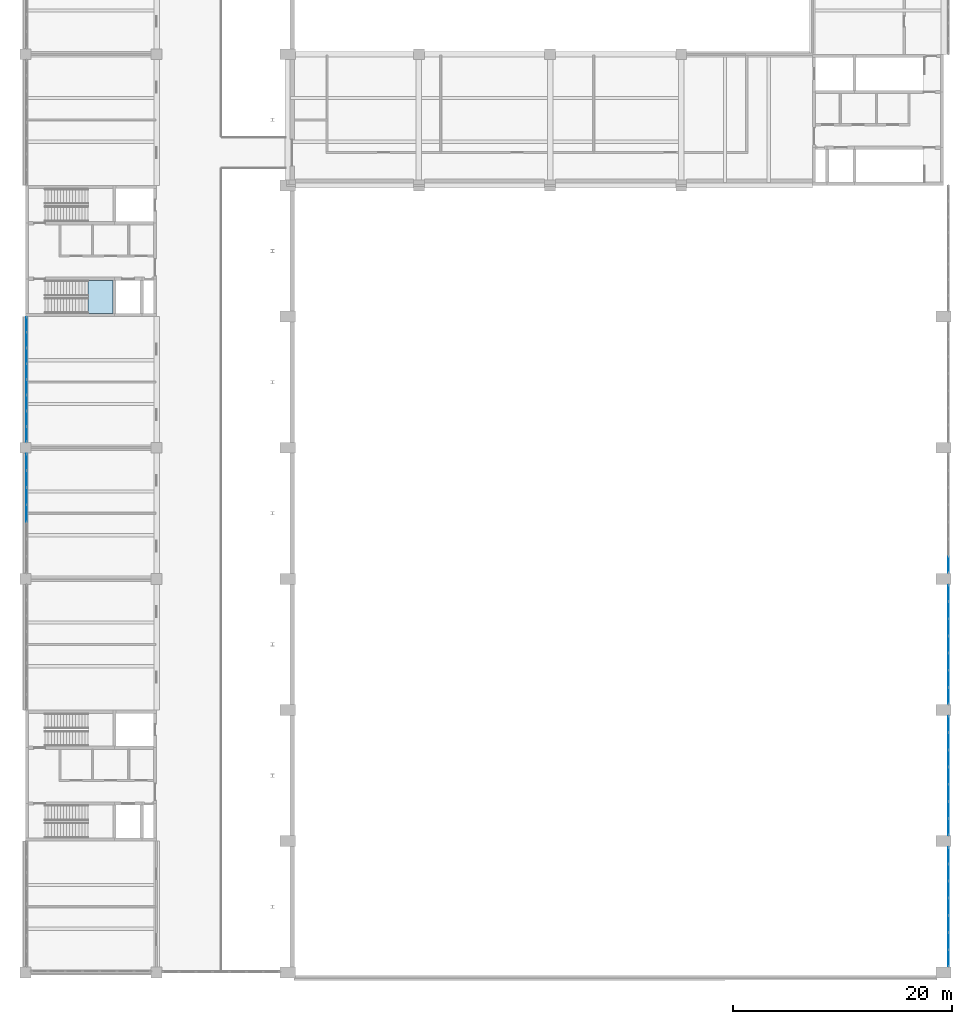
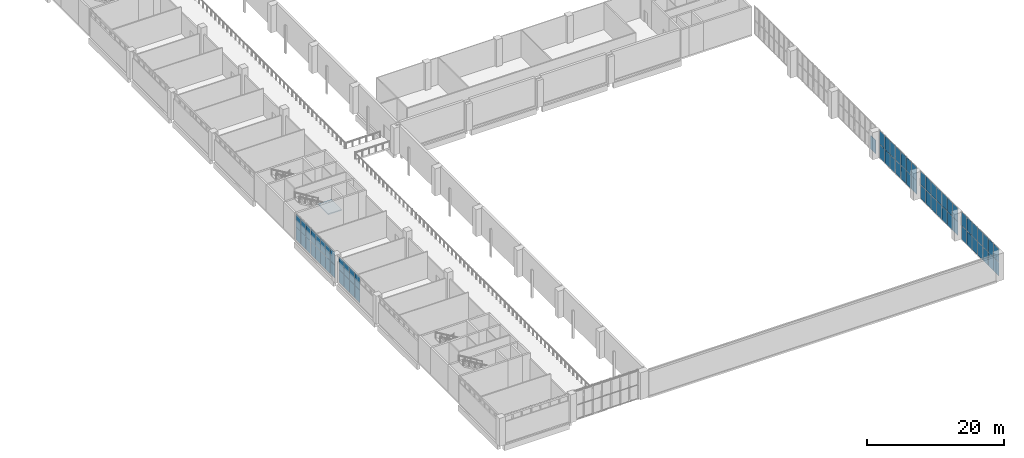
# One storey, part 43 of 69: 67 plates, 1 slab, 7 elements without a shape of their own.
"""IFC4 building model written with IfcOpenShell, lengths in metres."""

import ifcopenshell
import ifcopenshell.guid

model = None  # the IFC model being written
_history = None  # IfcOwnerHistory: only IFC2X3 demands one
_inside = {}  # id of a spatial element -> (the spatial element, [elements in it])
_under = {}  # id of a project, library or spatial element -> (it, [spatial elements below it])
_declared = {}  # id of a project -> (the project, [libraries it declares])
_typed = {}  # id of a type object -> (the type object, [elements of that type])
_made_of = {}  # id of a material, layer set ... -> (it, [elements and type objects made of it])


def new_model(schema):
    """Start an empty IFC model of exactly this schema.

    Asked for "IFC4X3", IfcOpenShell would pick the latest addendum, in which some entities
    have other attributes; the version numbers below select the first issue.
    IFC2X3 requires an IfcOwnerHistory on every rooted entity: one is made here for all.
    """
    global model, _history
    if schema == "IFC4X3":
        model = ifcopenshell.file(schema_version=(4, 3, 0, 0))
    else:
        model = ifcopenshell.file(schema=schema)
    _inside.clear()
    _under.clear()
    _declared.clear()
    _typed.clear()
    _made_of.clear()
    _history = None
    if model.schema == "IFC2X3":
        org = make("IfcOrganization", Name="unknown")
        user = make(
            "IfcPersonAndOrganization",
            ThePerson=make("IfcPerson", FamilyName="unknown"),
            TheOrganization=org,
        )
        app = make(
            "IfcApplication",
            ApplicationDeveloper=org,
            Version="unknown",
            ApplicationFullName="unknown",
            ApplicationIdentifier="unknown",
        )
        _history = make(
            "IfcOwnerHistory",
            OwningUser=user,
            OwningApplication=app,
            ChangeAction="ADDED",
            CreationDate=0,
        )
    return model


def make(cls, **values):
    """One entity of the class cls with the attributes given. An attribute that is None is left unset."""
    return model.create_entity(
        cls, **{name: value for name, value in values.items() if value is not None}
    )


def rooted(cls, **values):
    """An entity with a GlobalId (a new one), such as an element, a storey or a relation."""
    return make(cls, GlobalId=ifcopenshell.guid.new(), OwnerHistory=_history, **values)


def si_unit(unit_type, name, prefix=None):
    """IfcSIUnit, for example si_unit("LENGTHUNIT", "METRE", prefix="MILLI")."""
    return make("IfcSIUnit", UnitType=unit_type, Prefix=prefix, Name=name)


def assignment(units):
    """IfcUnitAssignment: the units of a project."""
    return None if units is None else make("IfcUnitAssignment", Units=units)


def point(xyz):
    """IfcCartesianPoint."""
    return None if xyz is None else make("IfcCartesianPoint", Coordinates=xyz)


def direction(xyz):
    """IfcDirection."""
    return None if xyz is None else make("IfcDirection", DirectionRatios=xyz)


def frame(location, z_axis=None, x_axis=None):
    """IfcAxis2Placement3D, a coordinate frame: its origin and axes. An axis left out is left unset."""
    return make(
        "IfcAxis2Placement3D",
        Location=point(location),
        Axis=direction(z_axis),
        RefDirection=direction(x_axis),
    )


def frame_2d(location, x_axis=None):
    """IfcAxis2Placement2D, a coordinate frame in the plane: its origin and x axis."""
    return make(
        "IfcAxis2Placement2D", Location=point(location), RefDirection=direction(x_axis)
    )


def origin():
    """The frame at (0, 0, 0) with its axes left unset."""
    return frame((0.0, 0.0, 0.0))


def origin_2d():
    """The frame at (0, 0) in the plane with its x axis left unset."""
    return frame_2d((0.0, 0.0))


def place(relative_to, where):
    """IfcLocalPlacement: puts the frame where relative to a parent placement (None: the world)."""
    return make(
        "IfcLocalPlacement", PlacementRelTo=relative_to, RelativePlacement=where
    )


def context(
    kind, dimensions, precision=None, world=None, true_north=None, identifier=None
):
    """IfcGeometricRepresentationContext, for example the 3D "Model" context."""
    return make(
        "IfcGeometricRepresentationContext",
        ContextIdentifier=identifier,
        ContextType=kind,
        CoordinateSpaceDimension=dimensions,
        Precision=precision,
        WorldCoordinateSystem=world,
        TrueNorth=true_north,
    )


def subcontext(parent, identifier, kind, view, scale=None):
    """IfcGeometricRepresentationSubContext, for example "Body" below "Model"."""
    return make(
        "IfcGeometricRepresentationSubContext",
        ContextIdentifier=identifier,
        ContextType=kind,
        ParentContext=parent,
        TargetScale=scale,
        TargetView=view,
    )


def project(units=None, contexts=None):
    """IfcProject with its units and contexts."""
    return rooted(
        "IfcProject",
        Name="project",
        RepresentationContexts=contexts,
        UnitsInContext=assignment(units),
    )


def spatial(cls, under=None, at=None, **own):
    """A site, building, storey or space (cls), placed at a placement, below another one or the project."""
    s = rooted(cls, ObjectPlacement=at, **own)
    if under is not None:
        _under.setdefault(under.id(), (under, []))[1].append(s)
    return s


def polyline(points):
    """IfcPolyline through the points."""
    return make("IfcPolyline", Points=[point(p) for p in points])


def profile(cls, at=None, kind="AREA", **sizes):
    """A parametric profile (cls). Its sizes go by their IFC names, for example OverallWidth=200.0."""
    return make(cls, ProfileType=kind, Position=at, **sizes)


def rectangle(**sizes):
    """IfcRectangleProfileDef."""
    return profile("IfcRectangleProfileDef", **sizes)


def outline(outer, holes=None, kind="AREA"):
    """IfcArbitraryClosedProfileDef: a profile drawn as a closed curve; with holes, ...WithVoids."""
    if holes is None:
        return make("IfcArbitraryClosedProfileDef", ProfileType=kind, OuterCurve=outer)
    return make(
        "IfcArbitraryProfileDefWithVoids",
        ProfileType=kind,
        OuterCurve=outer,
        InnerCurves=holes,
    )


def extrude(swept, where, along, depth):
    """IfcExtrudedAreaSolid: the profile swept, set in the frame where, extruded along a direction by depth."""
    return make(
        "IfcExtrudedAreaSolid",
        SweptArea=swept,
        Position=where,
        ExtrudedDirection=direction(along),
        Depth=depth,
    )


def shape(context_of_items, identifier, shape_type, items):
    """IfcShapeRepresentation: the items that make up one representation, for example the "Body"."""
    return make(
        "IfcShapeRepresentation",
        ContextOfItems=context_of_items,
        RepresentationIdentifier=identifier,
        RepresentationType=shape_type,
        Items=items,
    )


def material(Name=None, Category=None):
    """IfcMaterial."""
    return make("IfcMaterial", Name=Name, Category=Category)


def layer(
    of_material, thickness, ventilated=None, Name=None, Category=None, Priority=None
):
    """IfcMaterialLayer: one layer of a wall or slab, of a material (None: an air gap)."""
    return make(
        "IfcMaterialLayer",
        Material=of_material,
        LayerThickness=thickness,
        IsVentilated=ventilated,
        Name=Name,
        Category=Category,
        Priority=Priority,
    )


def layer_set(layers, Name=None):
    """IfcMaterialLayerSet."""
    return make("IfcMaterialLayerSet", MaterialLayers=layers, LayerSetName=Name)


def made_of(thing, what):
    """Note that an element or type object is made of a material, layer set ...; save() writes the relation."""
    if what is not None:
        _made_of.setdefault(what.id(), (what, []))[1].append(thing)
    return thing


def type_object(cls, material=None, **own):
    """A type object (cls), such as IfcWallType, which elements share."""
    return made_of(rooted(cls, **own), material)


def element(
    cls,
    number,
    at=None,
    inside=None,
    cuts=None,
    type_object=None,
    material=None,
    context=None,
    identifier="Body",
    shape_type=None,
    held_by="IfcProductDefinitionShape",
    body=None,
    shapes=None,
    **own,
):
    """One element of the class cls, such as IfcWall. Its Tag is "e" and its number.

    at: its placement. inside: the storey or other place that contains it. cuts: it is an
    opening in that element (IfcRelVoidsElement). A single representation is given by context,
    identifier, shape_type and body (its items); several are given by shapes. held_by: the class
    of the entity that holds the representations. save() writes the other relations.
    """
    e = rooted(cls, Tag="e%d" % number, ObjectPlacement=at, **own)
    if body is not None:
        shapes = [shape(context, identifier, shape_type, body)]
    if shapes is not None:
        e.Representation = make(held_by, Representations=shapes)
    if inside is not None:
        _inside.setdefault(inside.id(), (inside, []))[1].append(e)
    if cuts is not None:
        rooted(
            "IfcRelVoidsElement", RelatingBuildingElement=cuts, RelatedOpeningElement=e
        )
    if type_object is not None:
        _typed.setdefault(type_object.id(), (type_object, []))[1].append(e)
    return made_of(e, material)


def aggregate(whole, parts):
    """IfcRelAggregates: a whole, such as a stair, and the parts it consists of."""
    return rooted("IfcRelAggregates", RelatingObject=whole, RelatedObjects=parts)


def save(model, path):
    """Write the relations noted so far, then the file.

    IfcRelAggregates (storeys below a building ...), IfcRelContainedInSpatialStructure (elements
    in a storey), IfcRelDefinesByType, IfcRelAssociatesMaterial and IfcRelDeclares: one each for
    every whole, place, type object, material and project.
    """
    for whole, parts in _under.values():
        aggregate(whole, parts)
    for where, things in _inside.values():
        rooted(
            "IfcRelContainedInSpatialStructure",
            RelatedElements=things,
            RelatingStructure=where,
        )
    for kind, things in _typed.values():
        rooted("IfcRelDefinesByType", RelatedObjects=things, RelatingType=kind)
    for what, things in _made_of.values():
        rooted("IfcRelAssociatesMaterial", RelatedObjects=things, RelatingMaterial=what)
    for by, libraries in _declared.values():
        rooted("IfcRelDeclares", RelatingContext=by, RelatedDefinitions=libraries)
    model.write(path)


model = new_model("IFC4")

# Units and contexts
model_context = context("Model", 3, precision=1e-05, world=origin(), true_north=direction((0.0, 1.0)))
body_context = subcontext(model_context, "Body", "Model", "MODEL_VIEW")
ifc_project = project(units=[si_unit("LENGTHUNIT", "METRE"), si_unit("AREAUNIT", "SQUARE_METRE"), si_unit("VOLUMEUNIT", "CUBIC_METRE"), si_unit("PLANEANGLEUNIT", "RADIAN"), si_unit("MASSUNIT", "GRAM", prefix="KILO")], contexts=[model_context])

# Site, building, storey
site_placement = place(None, origin())
site = spatial("IfcSite", under=ifc_project, at=site_placement, CompositionType="ELEMENT")
building_placement = place(site_placement, origin())
building = spatial("IfcBuilding", under=site, at=building_placement, Name="Lilac Gate Convention Centre", CompositionType="ELEMENT")
storey_placement = place(building_placement, frame((0.0, 0.0, 12.0)))
storey = spatial("IfcBuildingStorey", under=building, at=storey_placement, Name="L02", CompositionType="ELEMENT", Elevation=12.0)

# Curtain wall, plates
ifc_material_1 = material(Name="Aluminium framed double glazing", Category="aluminium")
ifc_layer_1 = layer(ifc_material_1, 0.199951171875)
ifc_layer_set_1 = layer_set([ifc_layer_1], Name="Aluminium framed double glazing")
curtain_wall_type = type_object("IfcCurtainWallType", Name="Unitised curtain wall 1500", PredefinedType="NOTDEFINED", material=ifc_layer_set_1)
curtain_wall_1_placement = place(storey_placement, origin())
curtain_wall_1 = element("IfcCurtainWall", 1, at=curtain_wall_1_placement, inside=storey, type_object=curtain_wall_type, Name="Curtain wall PW L02 9", PredefinedType="NOTDEFINED")
ifc_material_2 = material(Name="Double glazed unit low emissivity")
ifc_layer_2 = layer(ifc_material_2, 0.028076171875)
ifc_layer_set_2 = layer_set([ifc_layer_2], Name="Double glazed unit low emissivity")
plate_type_1 = type_object("IfcPlateType", Name="Curtain wall glass panel 28", PredefinedType="CURTAIN_PANEL", material=ifc_layer_set_2)
plate_1_placement = place(storey_placement, frame((6.10009765625, 89.266357421875, 2.4052734375), z_axis=(0.0, 0.0, 1.0), x_axis=(0.0, -1.0, 0.0)))
plate_1 = element("IfcPlate", 2, at=plate_1_placement, type_object=plate_type_1, Name="CW panel 1.2", PredefinedType="CURTAIN_PANEL", context=body_context, shape_type="SweptSolid", body=[
    extrude(rectangle(XDim=1.347412109375, YDim=0.028076171875, at=origin_2d()), origin(), (0.0, 0.0, 1.0), 2.284912109375),
])
plate_2_placement = place(storey_placement, frame((6.10009765625, 87.84375, 2.4052734375), z_axis=(0.0, 0.0, 1.0), x_axis=(0.0, -1.0, 0.0)))
plate_2 = element("IfcPlate", 3, at=plate_2_placement, type_object=plate_type_1, Name="CW panel 2.2", PredefinedType="CURTAIN_PANEL", context=body_context, shape_type="SweptSolid", body=[
    extrude(rectangle(XDim=1.37744140625, YDim=0.028076171875, at=origin_2d()), origin(), (0.0, 0.0, 1.0), 2.284912109375),
])
plate_3_placement = place(storey_placement, frame((6.10009765625, 86.40625, 2.4052734375), z_axis=(0.0, 0.0, 1.0), x_axis=(0.0, -1.0, 0.0)))
plate_3 = element("IfcPlate", 4, at=plate_3_placement, type_object=plate_type_1, Name="CW panel 3.2", PredefinedType="CURTAIN_PANEL", context=body_context, shape_type="SweptSolid", body=[
    extrude(rectangle(XDim=1.37744140625, YDim=0.028076171875, at=origin_2d()), origin(), (0.0, 0.0, 1.0), 2.284912109375),
])
plate_4_placement = place(storey_placement, frame((6.10009765625, 84.96875, 2.4052734375), z_axis=(0.0, 0.0, 1.0), x_axis=(0.0, -1.0, 0.0)))
plate_4 = element("IfcPlate", 5, at=plate_4_placement, type_object=plate_type_1, Name="CW panel 4.2", PredefinedType="CURTAIN_PANEL", context=body_context, shape_type="SweptSolid", body=[
    extrude(rectangle(XDim=1.37744140625, YDim=0.028076171875, at=origin_2d()), origin(), (0.0, 0.0, 1.0), 2.284912109375),
])
plate_5_placement = place(storey_placement, frame((6.10009765625, 83.53125, 2.4052734375), z_axis=(0.0, 0.0, 1.0), x_axis=(0.0, -1.0, 0.0)))
plate_5 = element("IfcPlate", 6, at=plate_5_placement, type_object=plate_type_1, Name="CW panel 5.2", PredefinedType="CURTAIN_PANEL", context=body_context, shape_type="SweptSolid", body=[
    extrude(rectangle(XDim=1.37744140625, YDim=0.028076171875, at=origin_2d()), origin(), (0.0, 0.0, 1.0), 2.284912109375),
])
plate_6_placement = place(storey_placement, frame((6.10009765625, 82.09375, 2.4052734375), z_axis=(0.0, 0.0, 1.0), x_axis=(0.0, -1.0, 0.0)))
plate_6 = element("IfcPlate", 7, at=plate_6_placement, type_object=plate_type_1, Name="CW panel 6.2", PredefinedType="CURTAIN_PANEL", context=body_context, shape_type="SweptSolid", body=[
    extrude(rectangle(XDim=1.37744140625, YDim=0.028076171875, at=origin_2d()), origin(), (0.0, 0.0, 1.0), 2.284912109375),
])
plate_7_placement = place(storey_placement, frame((6.10009765625, 80.65625, 2.4052734375), z_axis=(0.0, 0.0, 1.0), x_axis=(0.0, -1.0, 0.0)))
plate_7 = element("IfcPlate", 8, at=plate_7_placement, type_object=plate_type_1, Name="CW panel 7.2", PredefinedType="CURTAIN_PANEL", context=body_context, shape_type="SweptSolid", body=[
    extrude(rectangle(XDim=1.37744140625, YDim=0.028076171875, at=origin_2d()), origin(), (0.0, 0.0, 1.0), 2.284912109375),
])
plate_8_placement = place(storey_placement, frame((6.10009765625, 79.233642578125, 2.4052734375), z_axis=(0.0, 0.0, 1.0), x_axis=(0.0, -1.0, 0.0)))
plate_8 = element("IfcPlate", 9, at=plate_8_placement, type_object=plate_type_1, Name="CW panel 8.2", PredefinedType="CURTAIN_PANEL", context=body_context, shape_type="SweptSolid", body=[
    extrude(rectangle(XDim=1.347412109375, YDim=0.028076171875, at=origin_2d()), origin(), (0.0, 0.0, 1.0), 2.284912109375),
])

curtain_wall_2_placement = place(storey_placement, origin())
curtain_wall_2 = element("IfcCurtainWall", 10, at=curtain_wall_2_placement, inside=storey, type_object=curtain_wall_type, Name="Curtain wall PW L02 10", PredefinedType="NOTDEFINED")
plate_9_placement = place(storey_placement, frame((6.10009765625, 76.69921875, 2.4052734375), z_axis=(0.0, 0.0, 1.0), x_axis=(0.0, -1.0, 0.0)))
plate_9 = element("IfcPlate", 11, at=plate_9_placement, type_object=plate_type_1, Name="CW panel 1.2", PredefinedType="CURTAIN_PANEL", context=body_context, shape_type="SweptSolid", body=[
    extrude(rectangle(XDim=1.4814453125, YDim=0.028076171875, at=origin_2d()), origin(), (0.0, 0.0, 1.0), 2.284912109375),
])
plate_10_placement = place(storey_placement, frame((6.10009765625, 75.142822265625, 2.4052734375), z_axis=(0.0, 0.0, 1.0), x_axis=(0.0, -1.0, 0.0)))
plate_10 = element("IfcPlate", 12, at=plate_10_placement, type_object=plate_type_1, Name="CW panel 2.2", PredefinedType="CURTAIN_PANEL", context=body_context, shape_type="SweptSolid", body=[
    extrude(rectangle(XDim=1.511474609375, YDim=0.028076171875, at=origin_2d()), origin(), (0.0, 0.0, 1.0), 2.284912109375),
])
plate_11_placement = place(storey_placement, frame((6.10009765625, 73.571533203125, 2.4052734375), z_axis=(0.0, 0.0, 1.0), x_axis=(0.0, -1.0, 0.0)))
plate_11 = element("IfcPlate", 13, at=plate_11_placement, type_object=plate_type_1, Name="CW panel 3.2", PredefinedType="CURTAIN_PANEL", context=body_context, shape_type="SweptSolid", body=[
    extrude(rectangle(XDim=1.511474609375, YDim=0.028076171875, at=origin_2d()), origin(), (0.0, 0.0, 1.0), 2.284912109375),
])
plate_12_placement = place(storey_placement, frame((6.10009765625, 72.0, 2.4052734375), z_axis=(0.0, 0.0, 1.0), x_axis=(0.0, -1.0, 0.0)))
plate_12 = element("IfcPlate", 14, at=plate_12_placement, type_object=plate_type_1, Name="CW panel 4.2", PredefinedType="CURTAIN_PANEL", context=body_context, shape_type="SweptSolid", body=[
    extrude(rectangle(XDim=1.511474609375, YDim=0.028076171875, at=origin_2d()), origin(), (0.0, 0.0, 1.0), 2.284912109375),
])

curtain_wall_3_placement = place(storey_placement, origin())
curtain_wall_3 = element("IfcCurtainWall", 15, at=curtain_wall_3_placement, inside=storey, type_object=curtain_wall_type, Name="Curtain wall HE L02 1", PredefinedType="NOTDEFINED")
plate_13_placement = place(storey_placement, frame((90.449951171875, 31.30078125, 2.5302734375), z_axis=(0.0, 0.0, 1.0), x_axis=(0.0, 1.0, 0.0)))
plate_13 = element("IfcPlate", 16, at=plate_13_placement, type_object=plate_type_1, Name="CW panel 1.2", PredefinedType="CURTAIN_PANEL", context=body_context, shape_type="SweptSolid", body=[
    extrude(rectangle(XDim=1.4814453125, YDim=0.028076171875, at=origin_2d()), origin(), (0.0, 0.0, 1.0), 2.409912109375),
])
plate_14_placement = place(storey_placement, frame((90.449951171875, 32.857177734375, 2.5302734375), z_axis=(0.0, 0.0, 1.0), x_axis=(0.0, 1.0, 0.0)))
plate_14 = element("IfcPlate", 17, at=plate_14_placement, type_object=plate_type_1, Name="CW panel 2.2", PredefinedType="CURTAIN_PANEL", context=body_context, shape_type="SweptSolid", body=[
    extrude(rectangle(XDim=1.511474609375, YDim=0.028076171875, at=origin_2d()), origin(), (0.0, 0.0, 1.0), 2.409912109375),
])
plate_15_placement = place(storey_placement, frame((90.449951171875, 34.428466796875, 2.5302734375), z_axis=(0.0, 0.0, 1.0), x_axis=(0.0, 1.0, 0.0)))
plate_15 = element("IfcPlate", 18, at=plate_15_placement, type_object=plate_type_1, Name="CW panel 3.2", PredefinedType="CURTAIN_PANEL", context=body_context, shape_type="SweptSolid", body=[
    extrude(rectangle(XDim=1.511474609375, YDim=0.028076171875, at=origin_2d()), origin(), (0.0, 0.0, 1.0), 2.409912109375),
])
plate_16_placement = place(storey_placement, frame((90.449951171875, 36.0, 2.5302734375), z_axis=(0.0, 0.0, 1.0), x_axis=(0.0, 1.0, 0.0)))
plate_16 = element("IfcPlate", 19, at=plate_16_placement, type_object=plate_type_1, Name="CW panel 4.2", PredefinedType="CURTAIN_PANEL", context=body_context, shape_type="SweptSolid", body=[
    extrude(rectangle(XDim=1.511474609375, YDim=0.028076171875, at=origin_2d()), origin(), (0.0, 0.0, 1.0), 2.409912109375),
])
plate_17_placement = place(storey_placement, frame((90.449951171875, 37.571533203125, 2.5302734375), z_axis=(0.0, 0.0, 1.0), x_axis=(0.0, 1.0, 0.0)))
plate_17 = element("IfcPlate", 20, at=plate_17_placement, type_object=plate_type_1, Name="CW panel 5.2", PredefinedType="CURTAIN_PANEL", context=body_context, shape_type="SweptSolid", body=[
    extrude(rectangle(XDim=1.511474609375, YDim=0.028076171875, at=origin_2d()), origin(), (0.0, 0.0, 1.0), 2.409912109375),
])
plate_18_placement = place(storey_placement, frame((90.449951171875, 39.142822265625, 2.5302734375), z_axis=(0.0, 0.0, 1.0), x_axis=(0.0, 1.0, 0.0)))
plate_18 = element("IfcPlate", 21, at=plate_18_placement, type_object=plate_type_1, Name="CW panel 6.2", PredefinedType="CURTAIN_PANEL", context=body_context, shape_type="SweptSolid", body=[
    extrude(rectangle(XDim=1.511474609375, YDim=0.028076171875, at=origin_2d()), origin(), (0.0, 0.0, 1.0), 2.409912109375),
])
plate_19_placement = place(storey_placement, frame((90.449951171875, 40.69921875, 2.5302734375), z_axis=(0.0, 0.0, 1.0), x_axis=(0.0, 1.0, 0.0)))
plate_19 = element("IfcPlate", 22, at=plate_19_placement, type_object=plate_type_1, Name="CW panel 7.2", PredefinedType="CURTAIN_PANEL", context=body_context, shape_type="SweptSolid", body=[
    extrude(rectangle(XDim=1.4814453125, YDim=0.028076171875, at=origin_2d()), origin(), (0.0, 0.0, 1.0), 2.409912109375),
])

curtain_wall_4_placement = place(storey_placement, origin())
curtain_wall_4 = element("IfcCurtainWall", 23, at=curtain_wall_4_placement, inside=storey, type_object=curtain_wall_type, Name="Curtain wall HE L02 2", PredefinedType="NOTDEFINED")
plate_20_placement = place(storey_placement, frame((90.449951171875, 43.30078125, 2.5302734375), z_axis=(0.0, 0.0, 1.0), x_axis=(0.0, 1.0, 0.0)))
plate_20 = element("IfcPlate", 24, at=plate_20_placement, type_object=plate_type_1, Name="CW panel 1.2", PredefinedType="CURTAIN_PANEL", context=body_context, shape_type="SweptSolid", body=[
    extrude(rectangle(XDim=1.4814453125, YDim=0.028076171875, at=origin_2d()), origin(), (0.0, 0.0, 1.0), 2.409912109375),
])
plate_21_placement = place(storey_placement, frame((90.449951171875, 44.857177734375, 2.5302734375), z_axis=(0.0, 0.0, 1.0), x_axis=(0.0, 1.0, 0.0)))
plate_21 = element("IfcPlate", 25, at=plate_21_placement, type_object=plate_type_1, Name="CW panel 2.2", PredefinedType="CURTAIN_PANEL", context=body_context, shape_type="SweptSolid", body=[
    extrude(rectangle(XDim=1.511474609375, YDim=0.028076171875, at=origin_2d()), origin(), (0.0, 0.0, 1.0), 2.409912109375),
])
plate_22_placement = place(storey_placement, frame((90.449951171875, 46.428466796875, 2.5302734375), z_axis=(0.0, 0.0, 1.0), x_axis=(0.0, 1.0, 0.0)))
plate_22 = element("IfcPlate", 26, at=plate_22_placement, type_object=plate_type_1, Name="CW panel 3.2", PredefinedType="CURTAIN_PANEL", context=body_context, shape_type="SweptSolid", body=[
    extrude(rectangle(XDim=1.511474609375, YDim=0.028076171875, at=origin_2d()), origin(), (0.0, 0.0, 1.0), 2.409912109375),
])
plate_23_placement = place(storey_placement, frame((90.449951171875, 48.0, 2.5302734375), z_axis=(0.0, 0.0, 1.0), x_axis=(0.0, 1.0, 0.0)))
plate_23 = element("IfcPlate", 27, at=plate_23_placement, type_object=plate_type_1, Name="CW panel 4.2", PredefinedType="CURTAIN_PANEL", context=body_context, shape_type="SweptSolid", body=[
    extrude(rectangle(XDim=1.511474609375, YDim=0.028076171875, at=origin_2d()), origin(), (0.0, 0.0, 1.0), 2.409912109375),
])
plate_24_placement = place(storey_placement, frame((90.449951171875, 49.571533203125, 2.5302734375), z_axis=(0.0, 0.0, 1.0), x_axis=(0.0, 1.0, 0.0)))
plate_24 = element("IfcPlate", 28, at=plate_24_placement, type_object=plate_type_1, Name="CW panel 5.2", PredefinedType="CURTAIN_PANEL", context=body_context, shape_type="SweptSolid", body=[
    extrude(rectangle(XDim=1.511474609375, YDim=0.028076171875, at=origin_2d()), origin(), (0.0, 0.0, 1.0), 2.409912109375),
])
plate_25_placement = place(storey_placement, frame((90.449951171875, 51.142822265625, 2.5302734375), z_axis=(0.0, 0.0, 1.0), x_axis=(0.0, 1.0, 0.0)))
plate_25 = element("IfcPlate", 29, at=plate_25_placement, type_object=plate_type_1, Name="CW panel 6.2", PredefinedType="CURTAIN_PANEL", context=body_context, shape_type="SweptSolid", body=[
    extrude(rectangle(XDim=1.511474609375, YDim=0.028076171875, at=origin_2d()), origin(), (0.0, 0.0, 1.0), 2.409912109375),
])
plate_26_placement = place(storey_placement, frame((90.449951171875, 52.69921875, 2.5302734375), z_axis=(0.0, 0.0, 1.0), x_axis=(0.0, 1.0, 0.0)))
plate_26 = element("IfcPlate", 30, at=plate_26_placement, type_object=plate_type_1, Name="CW panel 7.2", PredefinedType="CURTAIN_PANEL", context=body_context, shape_type="SweptSolid", body=[
    extrude(rectangle(XDim=1.4814453125, YDim=0.028076171875, at=origin_2d()), origin(), (0.0, 0.0, 1.0), 2.409912109375),
])

curtain_wall_5_placement = place(storey_placement, origin())
curtain_wall_5 = element("IfcCurtainWall", 31, at=curtain_wall_5_placement, inside=storey, type_object=curtain_wall_type, Name="Curtain wall HE L02 3", PredefinedType="NOTDEFINED")
plate_27_placement = place(storey_placement, frame((90.449951171875, 55.30078125, 2.5302734375), z_axis=(0.0, 0.0, 1.0), x_axis=(0.0, 1.0, 0.0)))
plate_27 = element("IfcPlate", 32, at=plate_27_placement, type_object=plate_type_1, Name="CW panel 1.2", PredefinedType="CURTAIN_PANEL", context=body_context, shape_type="SweptSolid", body=[
    extrude(rectangle(XDim=1.4814453125, YDim=0.028076171875, at=origin_2d()), origin(), (0.0, 0.0, 1.0), 2.409912109375),
])
plate_28_placement = place(storey_placement, frame((90.449951171875, 56.857177734375, 2.5302734375), z_axis=(0.0, 0.0, 1.0), x_axis=(0.0, 1.0, 0.0)))
plate_28 = element("IfcPlate", 33, at=plate_28_placement, type_object=plate_type_1, Name="CW panel 2.2", PredefinedType="CURTAIN_PANEL", context=body_context, shape_type="SweptSolid", body=[
    extrude(rectangle(XDim=1.511474609375, YDim=0.028076171875, at=origin_2d()), origin(), (0.0, 0.0, 1.0), 2.409912109375),
])
plate_29_placement = place(storey_placement, frame((90.449951171875, 58.428466796875, 2.5302734375), z_axis=(0.0, 0.0, 1.0), x_axis=(0.0, 1.0, 0.0)))
plate_29 = element("IfcPlate", 34, at=plate_29_placement, type_object=plate_type_1, Name="CW panel 3.2", PredefinedType="CURTAIN_PANEL", context=body_context, shape_type="SweptSolid", body=[
    extrude(rectangle(XDim=1.511474609375, YDim=0.028076171875, at=origin_2d()), origin(), (0.0, 0.0, 1.0), 2.409912109375),
])
plate_30_placement = place(storey_placement, frame((90.449951171875, 60.0, 2.5302734375), z_axis=(0.0, 0.0, 1.0), x_axis=(0.0, 1.0, 0.0)))
plate_30 = element("IfcPlate", 35, at=plate_30_placement, type_object=plate_type_1, Name="CW panel 4.2", PredefinedType="CURTAIN_PANEL", context=body_context, shape_type="SweptSolid", body=[
    extrude(rectangle(XDim=1.511474609375, YDim=0.028076171875, at=origin_2d()), origin(), (0.0, 0.0, 1.0), 2.409912109375),
])
plate_31_placement = place(storey_placement, frame((90.449951171875, 61.571533203125, 2.5302734375), z_axis=(0.0, 0.0, 1.0), x_axis=(0.0, 1.0, 0.0)))
plate_31 = element("IfcPlate", 36, at=plate_31_placement, type_object=plate_type_1, Name="CW panel 5.2", PredefinedType="CURTAIN_PANEL", context=body_context, shape_type="SweptSolid", body=[
    extrude(rectangle(XDim=1.511474609375, YDim=0.028076171875, at=origin_2d()), origin(), (0.0, 0.0, 1.0), 2.409912109375),
])
plate_32_placement = place(storey_placement, frame((90.449951171875, 63.142822265625, 2.5302734375), z_axis=(0.0, 0.0, 1.0), x_axis=(0.0, 1.0, 0.0)))
plate_32 = element("IfcPlate", 37, at=plate_32_placement, type_object=plate_type_1, Name="CW panel 6.2", PredefinedType="CURTAIN_PANEL", context=body_context, shape_type="SweptSolid", body=[
    extrude(rectangle(XDim=1.511474609375, YDim=0.028076171875, at=origin_2d()), origin(), (0.0, 0.0, 1.0), 2.409912109375),
])
plate_33_placement = place(storey_placement, frame((90.449951171875, 64.69921875, 2.5302734375), z_axis=(0.0, 0.0, 1.0), x_axis=(0.0, 1.0, 0.0)))
plate_33 = element("IfcPlate", 38, at=plate_33_placement, type_object=plate_type_1, Name="CW panel 7.2", PredefinedType="CURTAIN_PANEL", context=body_context, shape_type="SweptSolid", body=[
    extrude(rectangle(XDim=1.4814453125, YDim=0.028076171875, at=origin_2d()), origin(), (0.0, 0.0, 1.0), 2.409912109375),
])

# Plate
ifc_material_3 = material(Name="Insulated aluminium spandrel panel", Category="aluminium")
ifc_layer_3 = layer(ifc_material_3, 0.028076171875)
ifc_layer_set_3 = layer_set([ifc_layer_3], Name="Insulated aluminium spandrel panel")
plate_type_2 = type_object("IfcPlateType", Name="Curtain wall spandrel panel 28", PredefinedType="CURTAIN_PANEL", material=ifc_layer_set_3)
plate_34_placement = place(storey_placement, frame((6.10009765625, 89.266357421875, 0.06005859375), z_axis=(0.0, 0.0, 1.0), x_axis=(0.0, -1.0, 0.0)))
plate_34 = element("IfcPlate", 39, at=plate_34_placement, type_object=plate_type_2, Name="CW spandrel 1.1", PredefinedType="CURTAIN_PANEL", context=body_context, shape_type="SweptSolid", body=[
    extrude(rectangle(XDim=1.347412109375, YDim=0.028076171875, at=origin_2d()), origin(), (0.0, 0.0, 1.0), 2.284912109375),
])

plate_35_placement = place(storey_placement, frame((6.10009765625, 87.84375, 0.06005859375), z_axis=(0.0, 0.0, 1.0), x_axis=(0.0, -1.0, 0.0)))
plate_35 = element("IfcPlate", 40, at=plate_35_placement, type_object=plate_type_2, Name="CW spandrel 2.1", PredefinedType="CURTAIN_PANEL", context=body_context, shape_type="SweptSolid", body=[
    extrude(rectangle(XDim=1.37744140625, YDim=0.028076171875, at=origin_2d()), origin(), (0.0, 0.0, 1.0), 2.284912109375),
])

plate_36_placement = place(storey_placement, frame((6.10009765625, 86.40625, 0.06005859375), z_axis=(0.0, 0.0, 1.0), x_axis=(0.0, -1.0, 0.0)))
plate_36 = element("IfcPlate", 41, at=plate_36_placement, type_object=plate_type_2, Name="CW spandrel 3.1", PredefinedType="CURTAIN_PANEL", context=body_context, shape_type="SweptSolid", body=[
    extrude(rectangle(XDim=1.37744140625, YDim=0.028076171875, at=origin_2d()), origin(), (0.0, 0.0, 1.0), 2.284912109375),
])

plate_37_placement = place(storey_placement, frame((6.10009765625, 84.96875, 0.06005859375), z_axis=(0.0, 0.0, 1.0), x_axis=(0.0, -1.0, 0.0)))
plate_37 = element("IfcPlate", 42, at=plate_37_placement, type_object=plate_type_2, Name="CW spandrel 4.1", PredefinedType="CURTAIN_PANEL", context=body_context, shape_type="SweptSolid", body=[
    extrude(rectangle(XDim=1.37744140625, YDim=0.028076171875, at=origin_2d()), origin(), (0.0, 0.0, 1.0), 2.284912109375),
])

plate_38_placement = place(storey_placement, frame((6.10009765625, 83.53125, 0.06005859375), z_axis=(0.0, 0.0, 1.0), x_axis=(0.0, -1.0, 0.0)))
plate_38 = element("IfcPlate", 43, at=plate_38_placement, type_object=plate_type_2, Name="CW spandrel 5.1", PredefinedType="CURTAIN_PANEL", context=body_context, shape_type="SweptSolid", body=[
    extrude(rectangle(XDim=1.37744140625, YDim=0.028076171875, at=origin_2d()), origin(), (0.0, 0.0, 1.0), 2.284912109375),
])

plate_39_placement = place(storey_placement, frame((6.10009765625, 82.09375, 0.06005859375), z_axis=(0.0, 0.0, 1.0), x_axis=(0.0, -1.0, 0.0)))
plate_39 = element("IfcPlate", 44, at=plate_39_placement, type_object=plate_type_2, Name="CW spandrel 6.1", PredefinedType="CURTAIN_PANEL", context=body_context, shape_type="SweptSolid", body=[
    extrude(rectangle(XDim=1.37744140625, YDim=0.028076171875, at=origin_2d()), origin(), (0.0, 0.0, 1.0), 2.284912109375),
])

plate_40_placement = place(storey_placement, frame((6.10009765625, 80.65625, 0.06005859375), z_axis=(0.0, 0.0, 1.0), x_axis=(0.0, -1.0, 0.0)))
plate_40 = element("IfcPlate", 45, at=plate_40_placement, type_object=plate_type_2, Name="CW spandrel 7.1", PredefinedType="CURTAIN_PANEL", context=body_context, shape_type="SweptSolid", body=[
    extrude(rectangle(XDim=1.37744140625, YDim=0.028076171875, at=origin_2d()), origin(), (0.0, 0.0, 1.0), 2.284912109375),
])

plate_41_placement = place(storey_placement, frame((6.10009765625, 79.233642578125, 0.06005859375), z_axis=(0.0, 0.0, 1.0), x_axis=(0.0, -1.0, 0.0)))
plate_41 = element("IfcPlate", 46, at=plate_41_placement, type_object=plate_type_2, Name="CW spandrel 8.1", PredefinedType="CURTAIN_PANEL", context=body_context, shape_type="SweptSolid", body=[
    extrude(rectangle(XDim=1.347412109375, YDim=0.028076171875, at=origin_2d()), origin(), (0.0, 0.0, 1.0), 2.284912109375),
])

aggregate(curtain_wall_1, [plate_34, plate_1, plate_35, plate_2, plate_36, plate_3, plate_37, plate_4, plate_38, plate_5, plate_39, plate_6, plate_40, plate_7, plate_41, plate_8])

plate_42_placement = place(storey_placement, frame((6.10009765625, 76.69921875, 0.06005859375), z_axis=(0.0, 0.0, 1.0), x_axis=(0.0, -1.0, 0.0)))
plate_42 = element("IfcPlate", 47, at=plate_42_placement, type_object=plate_type_2, Name="CW spandrel 1.1", PredefinedType="CURTAIN_PANEL", context=body_context, shape_type="SweptSolid", body=[
    extrude(rectangle(XDim=1.4814453125, YDim=0.028076171875, at=origin_2d()), origin(), (0.0, 0.0, 1.0), 2.284912109375),
])

plate_43_placement = place(storey_placement, frame((6.10009765625, 75.142822265625, 0.06005859375), z_axis=(0.0, 0.0, 1.0), x_axis=(0.0, -1.0, 0.0)))
plate_43 = element("IfcPlate", 48, at=plate_43_placement, type_object=plate_type_2, Name="CW spandrel 2.1", PredefinedType="CURTAIN_PANEL", context=body_context, shape_type="SweptSolid", body=[
    extrude(rectangle(XDim=1.511474609375, YDim=0.028076171875, at=origin_2d()), origin(), (0.0, 0.0, 1.0), 2.284912109375),
])

plate_44_placement = place(storey_placement, frame((6.10009765625, 73.571533203125, 0.06005859375), z_axis=(0.0, 0.0, 1.0), x_axis=(0.0, -1.0, 0.0)))
plate_44 = element("IfcPlate", 49, at=plate_44_placement, type_object=plate_type_2, Name="CW spandrel 3.1", PredefinedType="CURTAIN_PANEL", context=body_context, shape_type="SweptSolid", body=[
    extrude(rectangle(XDim=1.511474609375, YDim=0.028076171875, at=origin_2d()), origin(), (0.0, 0.0, 1.0), 2.284912109375),
])

plate_45_placement = place(storey_placement, frame((6.10009765625, 72.0, 0.06005859375), z_axis=(0.0, 0.0, 1.0), x_axis=(0.0, -1.0, 0.0)))
plate_45 = element("IfcPlate", 50, at=plate_45_placement, type_object=plate_type_2, Name="CW spandrel 4.1", PredefinedType="CURTAIN_PANEL", context=body_context, shape_type="SweptSolid", body=[
    extrude(rectangle(XDim=1.511474609375, YDim=0.028076171875, at=origin_2d()), origin(), (0.0, 0.0, 1.0), 2.284912109375),
])

aggregate(curtain_wall_2, [plate_42, plate_9, plate_43, plate_10, plate_44, plate_11, plate_45, plate_12])

plate_46_placement = place(storey_placement, frame((90.449951171875, 31.30078125, 0.06005859375), z_axis=(0.0, 0.0, 1.0), x_axis=(0.0, 1.0, 0.0)))
plate_46 = element("IfcPlate", 51, at=plate_46_placement, type_object=plate_type_2, Name="CW spandrel 1.1", PredefinedType="CURTAIN_PANEL", context=body_context, shape_type="SweptSolid", body=[
    extrude(rectangle(XDim=1.4814453125, YDim=0.028076171875, at=origin_2d()), origin(), (0.0, 0.0, 1.0), 2.409912109375),
])

plate_47_placement = place(storey_placement, frame((90.449951171875, 32.857177734375, 0.06005859375), z_axis=(0.0, 0.0, 1.0), x_axis=(0.0, 1.0, 0.0)))
plate_47 = element("IfcPlate", 52, at=plate_47_placement, type_object=plate_type_2, Name="CW spandrel 2.1", PredefinedType="CURTAIN_PANEL", context=body_context, shape_type="SweptSolid", body=[
    extrude(rectangle(XDim=1.511474609375, YDim=0.028076171875, at=origin_2d()), origin(), (0.0, 0.0, 1.0), 2.409912109375),
])

plate_48_placement = place(storey_placement, frame((90.449951171875, 34.428466796875, 0.06005859375), z_axis=(0.0, 0.0, 1.0), x_axis=(0.0, 1.0, 0.0)))
plate_48 = element("IfcPlate", 53, at=plate_48_placement, type_object=plate_type_2, Name="CW spandrel 3.1", PredefinedType="CURTAIN_PANEL", context=body_context, shape_type="SweptSolid", body=[
    extrude(rectangle(XDim=1.511474609375, YDim=0.028076171875, at=origin_2d()), origin(), (0.0, 0.0, 1.0), 2.409912109375),
])

plate_49_placement = place(storey_placement, frame((90.449951171875, 36.0, 0.06005859375), z_axis=(0.0, 0.0, 1.0), x_axis=(0.0, 1.0, 0.0)))
plate_49 = element("IfcPlate", 54, at=plate_49_placement, type_object=plate_type_2, Name="CW spandrel 4.1", PredefinedType="CURTAIN_PANEL", context=body_context, shape_type="SweptSolid", body=[
    extrude(rectangle(XDim=1.511474609375, YDim=0.028076171875, at=origin_2d()), origin(), (0.0, 0.0, 1.0), 2.409912109375),
])

plate_50_placement = place(storey_placement, frame((90.449951171875, 37.571533203125, 0.06005859375), z_axis=(0.0, 0.0, 1.0), x_axis=(0.0, 1.0, 0.0)))
plate_50 = element("IfcPlate", 55, at=plate_50_placement, type_object=plate_type_2, Name="CW spandrel 5.1", PredefinedType="CURTAIN_PANEL", context=body_context, shape_type="SweptSolid", body=[
    extrude(rectangle(XDim=1.511474609375, YDim=0.028076171875, at=origin_2d()), origin(), (0.0, 0.0, 1.0), 2.409912109375),
])

plate_51_placement = place(storey_placement, frame((90.449951171875, 39.142822265625, 0.06005859375), z_axis=(0.0, 0.0, 1.0), x_axis=(0.0, 1.0, 0.0)))
plate_51 = element("IfcPlate", 56, at=plate_51_placement, type_object=plate_type_2, Name="CW spandrel 6.1", PredefinedType="CURTAIN_PANEL", context=body_context, shape_type="SweptSolid", body=[
    extrude(rectangle(XDim=1.511474609375, YDim=0.028076171875, at=origin_2d()), origin(), (0.0, 0.0, 1.0), 2.409912109375),
])

plate_52_placement = place(storey_placement, frame((90.449951171875, 40.69921875, 0.06005859375), z_axis=(0.0, 0.0, 1.0), x_axis=(0.0, 1.0, 0.0)))
plate_52 = element("IfcPlate", 57, at=plate_52_placement, type_object=plate_type_2, Name="CW spandrel 7.1", PredefinedType="CURTAIN_PANEL", context=body_context, shape_type="SweptSolid", body=[
    extrude(rectangle(XDim=1.4814453125, YDim=0.028076171875, at=origin_2d()), origin(), (0.0, 0.0, 1.0), 2.409912109375),
])

aggregate(curtain_wall_3, [plate_46, plate_13, plate_47, plate_14, plate_48, plate_15, plate_49, plate_16, plate_50, plate_17, plate_51, plate_18, plate_52, plate_19])

plate_53_placement = place(storey_placement, frame((90.449951171875, 43.30078125, 0.06005859375), z_axis=(0.0, 0.0, 1.0), x_axis=(0.0, 1.0, 0.0)))
plate_53 = element("IfcPlate", 58, at=plate_53_placement, type_object=plate_type_2, Name="CW spandrel 1.1", PredefinedType="CURTAIN_PANEL", context=body_context, shape_type="SweptSolid", body=[
    extrude(rectangle(XDim=1.4814453125, YDim=0.028076171875, at=origin_2d()), origin(), (0.0, 0.0, 1.0), 2.409912109375),
])

plate_54_placement = place(storey_placement, frame((90.449951171875, 44.857177734375, 0.06005859375), z_axis=(0.0, 0.0, 1.0), x_axis=(0.0, 1.0, 0.0)))
plate_54 = element("IfcPlate", 59, at=plate_54_placement, type_object=plate_type_2, Name="CW spandrel 2.1", PredefinedType="CURTAIN_PANEL", context=body_context, shape_type="SweptSolid", body=[
    extrude(rectangle(XDim=1.511474609375, YDim=0.028076171875, at=origin_2d()), origin(), (0.0, 0.0, 1.0), 2.409912109375),
])

plate_55_placement = place(storey_placement, frame((90.449951171875, 46.428466796875, 0.06005859375), z_axis=(0.0, 0.0, 1.0), x_axis=(0.0, 1.0, 0.0)))
plate_55 = element("IfcPlate", 60, at=plate_55_placement, type_object=plate_type_2, Name="CW spandrel 3.1", PredefinedType="CURTAIN_PANEL", context=body_context, shape_type="SweptSolid", body=[
    extrude(rectangle(XDim=1.511474609375, YDim=0.028076171875, at=origin_2d()), origin(), (0.0, 0.0, 1.0), 2.409912109375),
])

plate_56_placement = place(storey_placement, frame((90.449951171875, 48.0, 0.06005859375), z_axis=(0.0, 0.0, 1.0), x_axis=(0.0, 1.0, 0.0)))
plate_56 = element("IfcPlate", 61, at=plate_56_placement, type_object=plate_type_2, Name="CW spandrel 4.1", PredefinedType="CURTAIN_PANEL", context=body_context, shape_type="SweptSolid", body=[
    extrude(rectangle(XDim=1.511474609375, YDim=0.028076171875, at=origin_2d()), origin(), (0.0, 0.0, 1.0), 2.409912109375),
])

plate_57_placement = place(storey_placement, frame((90.449951171875, 49.571533203125, 0.06005859375), z_axis=(0.0, 0.0, 1.0), x_axis=(0.0, 1.0, 0.0)))
plate_57 = element("IfcPlate", 62, at=plate_57_placement, type_object=plate_type_2, Name="CW spandrel 5.1", PredefinedType="CURTAIN_PANEL", context=body_context, shape_type="SweptSolid", body=[
    extrude(rectangle(XDim=1.511474609375, YDim=0.028076171875, at=origin_2d()), origin(), (0.0, 0.0, 1.0), 2.409912109375),
])

plate_58_placement = place(storey_placement, frame((90.449951171875, 51.142822265625, 0.06005859375), z_axis=(0.0, 0.0, 1.0), x_axis=(0.0, 1.0, 0.0)))
plate_58 = element("IfcPlate", 63, at=plate_58_placement, type_object=plate_type_2, Name="CW spandrel 6.1", PredefinedType="CURTAIN_PANEL", context=body_context, shape_type="SweptSolid", body=[
    extrude(rectangle(XDim=1.511474609375, YDim=0.028076171875, at=origin_2d()), origin(), (0.0, 0.0, 1.0), 2.409912109375),
])

plate_59_placement = place(storey_placement, frame((90.449951171875, 52.69921875, 0.06005859375), z_axis=(0.0, 0.0, 1.0), x_axis=(0.0, 1.0, 0.0)))
plate_59 = element("IfcPlate", 64, at=plate_59_placement, type_object=plate_type_2, Name="CW spandrel 7.1", PredefinedType="CURTAIN_PANEL", context=body_context, shape_type="SweptSolid", body=[
    extrude(rectangle(XDim=1.4814453125, YDim=0.028076171875, at=origin_2d()), origin(), (0.0, 0.0, 1.0), 2.409912109375),
])

aggregate(curtain_wall_4, [plate_53, plate_20, plate_54, plate_21, plate_55, plate_22, plate_56, plate_23, plate_57, plate_24, plate_58, plate_25, plate_59, plate_26])

plate_60_placement = place(storey_placement, frame((90.449951171875, 55.30078125, 0.06005859375), z_axis=(0.0, 0.0, 1.0), x_axis=(0.0, 1.0, 0.0)))
plate_60 = element("IfcPlate", 65, at=plate_60_placement, type_object=plate_type_2, Name="CW spandrel 1.1", PredefinedType="CURTAIN_PANEL", context=body_context, shape_type="SweptSolid", body=[
    extrude(rectangle(XDim=1.4814453125, YDim=0.028076171875, at=origin_2d()), origin(), (0.0, 0.0, 1.0), 2.409912109375),
])

plate_61_placement = place(storey_placement, frame((90.449951171875, 56.857177734375, 0.06005859375), z_axis=(0.0, 0.0, 1.0), x_axis=(0.0, 1.0, 0.0)))
plate_61 = element("IfcPlate", 66, at=plate_61_placement, type_object=plate_type_2, Name="CW spandrel 2.1", PredefinedType="CURTAIN_PANEL", context=body_context, shape_type="SweptSolid", body=[
    extrude(rectangle(XDim=1.511474609375, YDim=0.028076171875, at=origin_2d()), origin(), (0.0, 0.0, 1.0), 2.409912109375),
])

plate_62_placement = place(storey_placement, frame((90.449951171875, 58.428466796875, 0.06005859375), z_axis=(0.0, 0.0, 1.0), x_axis=(0.0, 1.0, 0.0)))
plate_62 = element("IfcPlate", 67, at=plate_62_placement, type_object=plate_type_2, Name="CW spandrel 3.1", PredefinedType="CURTAIN_PANEL", context=body_context, shape_type="SweptSolid", body=[
    extrude(rectangle(XDim=1.511474609375, YDim=0.028076171875, at=origin_2d()), origin(), (0.0, 0.0, 1.0), 2.409912109375),
])

plate_63_placement = place(storey_placement, frame((90.449951171875, 60.0, 0.06005859375), z_axis=(0.0, 0.0, 1.0), x_axis=(0.0, 1.0, 0.0)))
plate_63 = element("IfcPlate", 68, at=plate_63_placement, type_object=plate_type_2, Name="CW spandrel 4.1", PredefinedType="CURTAIN_PANEL", context=body_context, shape_type="SweptSolid", body=[
    extrude(rectangle(XDim=1.511474609375, YDim=0.028076171875, at=origin_2d()), origin(), (0.0, 0.0, 1.0), 2.409912109375),
])

plate_64_placement = place(storey_placement, frame((90.449951171875, 61.571533203125, 0.06005859375), z_axis=(0.0, 0.0, 1.0), x_axis=(0.0, 1.0, 0.0)))
plate_64 = element("IfcPlate", 69, at=plate_64_placement, type_object=plate_type_2, Name="CW spandrel 5.1", PredefinedType="CURTAIN_PANEL", context=body_context, shape_type="SweptSolid", body=[
    extrude(rectangle(XDim=1.511474609375, YDim=0.028076171875, at=origin_2d()), origin(), (0.0, 0.0, 1.0), 2.409912109375),
])

plate_65_placement = place(storey_placement, frame((90.449951171875, 63.142822265625, 0.06005859375), z_axis=(0.0, 0.0, 1.0), x_axis=(0.0, 1.0, 0.0)))
plate_65 = element("IfcPlate", 70, at=plate_65_placement, type_object=plate_type_2, Name="CW spandrel 6.1", PredefinedType="CURTAIN_PANEL", context=body_context, shape_type="SweptSolid", body=[
    extrude(rectangle(XDim=1.511474609375, YDim=0.028076171875, at=origin_2d()), origin(), (0.0, 0.0, 1.0), 2.409912109375),
])

plate_66_placement = place(storey_placement, frame((90.449951171875, 64.69921875, 0.06005859375), z_axis=(0.0, 0.0, 1.0), x_axis=(0.0, 1.0, 0.0)))
plate_66 = element("IfcPlate", 71, at=plate_66_placement, type_object=plate_type_2, Name="CW spandrel 7.1", PredefinedType="CURTAIN_PANEL", context=body_context, shape_type="SweptSolid", body=[
    extrude(rectangle(XDim=1.4814453125, YDim=0.028076171875, at=origin_2d()), origin(), (0.0, 0.0, 1.0), 2.409912109375),
])

aggregate(curtain_wall_5, [plate_60, plate_27, plate_61, plate_28, plate_62, plate_29, plate_63, plate_30, plate_64, plate_31, plate_65, plate_32, plate_66, plate_33])

# Curtain wall, plate
curtain_wall_6_placement = place(storey_placement, origin())
curtain_wall_6 = element("IfcCurtainWall", 72, at=curtain_wall_6_placement, inside=storey, type_object=curtain_wall_type, Name="Curtain wall HE L02 4", PredefinedType="NOTDEFINED")
plate_67_placement = place(storey_placement, frame((90.449951171875, 67.30078125, 0.06005859375), z_axis=(0.0, 0.0, 1.0), x_axis=(0.0, 1.0, 0.0)))
plate_67 = element("IfcPlate", 73, at=plate_67_placement, type_object=plate_type_2, Name="CW spandrel 1.1", PredefinedType="CURTAIN_PANEL", context=body_context, shape_type="SweptSolid", body=[
    extrude(rectangle(XDim=1.4814453125, YDim=0.028076171875, at=origin_2d()), origin(), (0.0, 0.0, 1.0), 2.409912109375),
])
aggregate(curtain_wall_6, [plate_67])

# Stair, slab
ifc_material_4 = material(Name="Concrete C40", Category="concrete")
stair_type = type_object("IfcStairType", Name="Exit stair two flights", PredefinedType="HALF_TURN_STAIR", material=ifc_material_4)
stair_placement = place(storey_placement, origin())
stair = element("IfcStair", 74, at=stair_placement, inside=storey, type_object=stair_type, Name="Exit stair W2A L02 to L03", PredefinedType="HALF_TURN_STAIR")
ifc_layer_4 = layer(ifc_material_4, 0.199951171875)
ifc_layer_set_4 = layer_set([ifc_layer_4], Name="Concrete C40")
slab_type = type_object("IfcSlabType", Name="Stair landing 200 precast", PredefinedType="LANDING", material=ifc_layer_set_4)
slab_placement = place(storey_placement, frame((0.0, 0.0, 2.300048828125)))
slab = element("IfcSlab", 75, at=slab_placement, type_object=slab_type, Name="ST11 landing 1", PredefinedType="LANDING", context=body_context, shape_type="SweptSolid", body=[
    extrude(outline(polyline([(11.719970703125, 90.300048828125), (14.0, 90.300048828125), (14.0, 93.300048828125), (11.719970703125, 93.300048828125), (11.719970703125, 90.300048828125)])), origin(), (0.0, 0.0, 1.0), 0.199951171875),
])
aggregate(stair, [slab])

save(model, "model.ifc")
